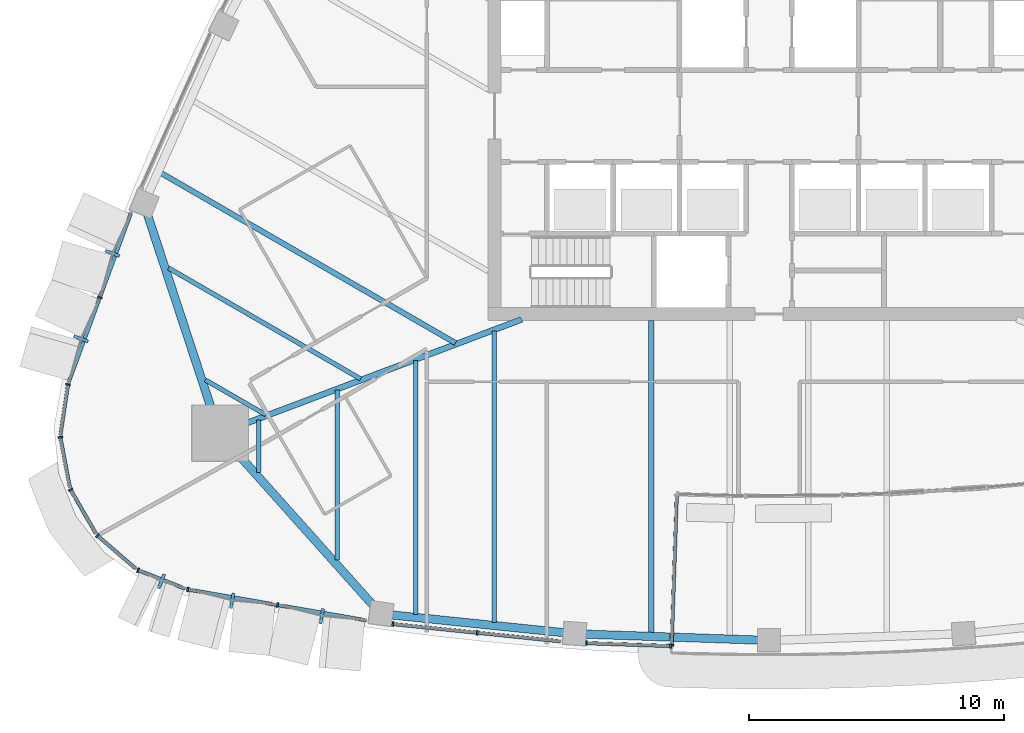
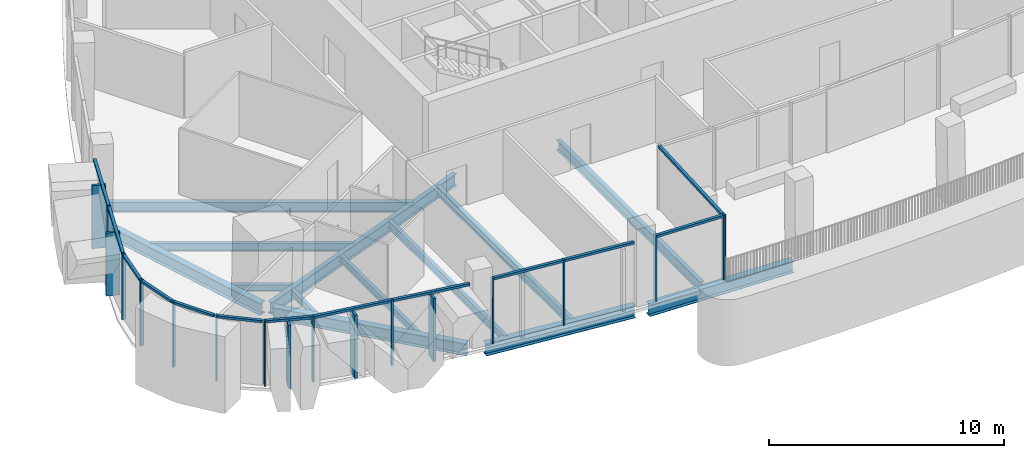
# One storey, part 2 of 21: 31 members, 13 beams, 10 elements without a shape of their own.
"""IFC4 building model written with IfcOpenShell, lengths in metres."""

from ifc_helpers import new_model, si_unit, direction, frame, origin, origin_2d, place, context, subcontext, project, spatial, rectangle, i_section, extrude, material, layer, layer_set, material_profile, profile_set, type_object, element, aggregate, save


model = new_model("IFC4")

# Units and contexts
model_context = context("Model", 3, precision=1e-05, world=origin(), true_north=direction((0.0, 1.0)))
body_context = subcontext(model_context, "Body", "Model", "MODEL_VIEW")
ifc_project = project(units=[si_unit("LENGTHUNIT", "METRE"), si_unit("AREAUNIT", "SQUARE_METRE"), si_unit("VOLUMEUNIT", "CUBIC_METRE"), si_unit("PLANEANGLEUNIT", "RADIAN"), si_unit("MASSUNIT", "GRAM", prefix="KILO")], contexts=[model_context])

# Site, building, storey
site_placement = place(None, origin())
site = spatial("IfcSite", under=ifc_project, at=site_placement, CompositionType="ELEMENT")
building_placement = place(site_placement, origin())
building = spatial("IfcBuilding", under=site, at=building_placement, Name="Sierra Prisma Convention Tower", CompositionType="ELEMENT")
storey_placement = place(building_placement, frame((0.0, 0.0, 259.0)))
storey = spatial("IfcBuildingStorey", under=building, at=storey_placement, Name="L58", CompositionType="ELEMENT", Elevation=259.0)

# Curtain wall, members
ifc_material_1 = material(Name="Aluminium and glass curtain wall", Category="aluminium")
ifc_layer_1 = layer(ifc_material_1, 0.179931640625)
ifc_layer_set_1 = layer_set([ifc_layer_1], Name="CW-2 Faceted crystal curtain wall")
curtain_wall_type_1 = type_object("IfcCurtainWallType", Name="CW-2 Faceted crystal curtain wall", PredefinedType="NOTDEFINED", material=ifc_layer_set_1)
curtain_wall_1_placement = place(storey_placement, origin())
curtain_wall_1 = element("IfcCurtainWall", 1, at=curtain_wall_1_placement, inside=storey, type_object=curtain_wall_type_1, Name="CW-2 NW6 L58", PredefinedType="NOTDEFINED")
ifc_material_2 = material(Name="Aluminium 6063-T6 bronze anodised", Category="aluminium")
ifc_material_profile_1 = material_profile(ifc_material_2, rectangle(XDim=0.1201171875, YDim=0.60009765625, at=origin_2d()), Name="ALU RIDGE BLADE 120x600")
ifc_profile_set_1 = profile_set([ifc_material_profile_1], Name="Aluminium 6063-T6 bronze anodised")
member_type_1 = type_object("IfcMemberType", Name="CW hip bronze", PredefinedType="MULLION", material=ifc_profile_set_1)
member_1_placement = place(storey_placement, frame((-25.70654296875, -5.372314453125, 0.0), z_axis=(0.0, 0.0, 1.0), x_axis=(-0.345165855501, -0.938541705091, 0.0)))
member_1 = element("IfcMember", 2, at=member_1_placement, type_object=member_type_1, Name="CW-2 ridge NW6.1", PredefinedType="MULLION", context=body_context, shape_type="SweptSolid", body=[
    extrude(rectangle(XDim=0.1201171875, YDim=0.60009765625, at=origin_2d()), origin(), (0.0, 0.0, 1.0), 3.280029296875),
])
member_2_placement = place(storey_placement, frame((-26.9365234375, -8.716552734375, 0.0), z_axis=(0.0, 0.0, 1.0), x_axis=(-0.345165855501, -0.938541705091, 0.0)))
member_2 = element("IfcMember", 3, at=member_2_placement, type_object=member_type_1, Name="CW-2 ridge NW6.2", PredefinedType="MULLION", context=body_context, shape_type="SweptSolid", body=[
    extrude(rectangle(XDim=0.1201171875, YDim=0.60009765625, at=origin_2d()), origin(), (0.0, 0.0, 1.0), 3.280029296875),
])

# Curtain wall, member
curtain_wall_2_placement = place(storey_placement, origin())
curtain_wall_2 = element("IfcCurtainWall", 4, at=curtain_wall_2_placement, inside=storey, type_object=curtain_wall_type_1, Name="CW-2 SW5 L58", PredefinedType="NOTDEFINED")
member_3_placement = place(storey_placement, frame((-23.784423828125, -18.21435546875, 0.0), z_axis=(0.0, 0.0, 1.0), x_axis=(0.930955439844, -0.365132810117, 0.0)))
member_3 = element("IfcMember", 5, at=member_3_placement, type_object=member_type_1, Name="CW-2 ridge SW5.1", PredefinedType="MULLION", context=body_context, shape_type="SweptSolid", body=[
    extrude(rectangle(XDim=0.1201171875, YDim=0.60009765625, at=origin_2d()), origin(), (0.0, 0.0, 1.0), 3.280029296875),
])

# Curtain wall, members
curtain_wall_3_placement = place(storey_placement, origin())
curtain_wall_3 = element("IfcCurtainWall", 6, at=curtain_wall_3_placement, inside=storey, type_object=curtain_wall_type_1, Name="CW-2 S1 L58", PredefinedType="NOTDEFINED")
member_4_placement = place(storey_placement, frame((-21.01708984375, -18.969482421875, 0.0), z_axis=(0.0, 0.0, 1.0), x_axis=(0.985383886871, -0.170348453163, 0.0)))
member_4 = element("IfcMember", 7, at=member_4_placement, type_object=member_type_1, Name="CW-2 ridge S1.1", PredefinedType="MULLION", context=body_context, shape_type="SweptSolid", body=[
    extrude(rectangle(XDim=0.1201171875, YDim=0.60009765625, at=origin_2d()), origin(), (0.0, 0.0, 1.0), 3.280029296875),
])
member_5_placement = place(storey_placement, frame((-17.505859375, -19.576416015625, 0.0), z_axis=(0.0, 0.0, 1.0), x_axis=(0.985383886871, -0.170348453163, 0.0)))
member_5 = element("IfcMember", 8, at=member_5_placement, type_object=member_type_1, Name="CW-2 ridge S1.2", PredefinedType="MULLION", context=body_context, shape_type="SweptSolid", body=[
    extrude(rectangle(XDim=0.1201171875, YDim=0.60009765625, at=origin_2d()), origin(), (0.0, 0.0, 1.0), 3.280029296875),
])

# Member
ifc_material_3 = material(Name="Aluminium 6063-T6 bronze anodised", Category="aluminium")
ifc_material_profile_2 = material_profile(ifc_material_3, rectangle(XDim=0.179931640625, YDim=0.070068359375, at=origin_2d()), Name="ALU MULLION 70x180")
ifc_profile_set_2 = profile_set([ifc_material_profile_2], Name="Aluminium 6063-T6 bronze anodised")
member_type_2 = type_object("IfcMemberType", Name="CW mullion bronze", PredefinedType="MULLION", material=ifc_profile_set_2)
member_6_placement = place(storey_placement, frame((-26.192626953125, -7.091796875, 0.0), z_axis=(0.0, 0.0, 1.0), x_axis=(0.938541705091, -0.345165855501, 0.0)))
member_6 = element("IfcMember", 9, at=member_6_placement, type_object=member_type_2, Name="CW-1 mullion NW6.2", PredefinedType="MULLION", context=body_context, shape_type="SweptSolid", body=[
    extrude(rectangle(XDim=0.179931640625, YDim=0.070068359375, at=origin_2d()), origin(), (0.0, 0.0, 1.0), 3.39990234375),
])

# Curtain wall, member
ifc_material_4 = material(Name="Aluminium and glass curtain wall", Category="aluminium")
ifc_layer_2 = layer(ifc_material_4, 0.179931640625)
ifc_layer_set_2 = layer_set([ifc_layer_2], Name="CW-1 Plain shaft curtain wall")
curtain_wall_type_2 = type_object("IfcCurtainWallType", Name="CW-1 Plain shaft curtain wall", PredefinedType="NOTDEFINED", material=ifc_layer_set_2)
curtain_wall_4_placement = place(storey_placement, origin())
curtain_wall_4 = element("IfcCurtainWall", 10, at=curtain_wall_4_placement, inside=storey, type_object=curtain_wall_type_2, Name="CW-1 SW1 L58", PredefinedType="NOTDEFINED")
member_7_placement = place(storey_placement, frame((-27.439697265625, -10.503662109375, 0.0), z_axis=(0.0, 0.0, 1.0), x_axis=(0.988797465755, -0.149263430605, 0.0)))
member_7 = element("IfcMember", 11, at=member_7_placement, type_object=member_type_2, Name="CW-1 mullion SW1.1", PredefinedType="MULLION", context=body_context, shape_type="SweptSolid", body=[
    extrude(rectangle(XDim=0.179931640625, YDim=0.070068359375, at=origin_2d()), origin(), (0.0, 0.0, 1.0), 3.39990234375),
])

curtain_wall_5_placement = place(storey_placement, origin())
curtain_wall_5 = element("IfcCurtainWall", 12, at=curtain_wall_5_placement, inside=storey, type_object=curtain_wall_type_2, Name="CW-1 SW2 L58", PredefinedType="NOTDEFINED")
member_8_placement = place(storey_placement, frame((-27.739990234375, -12.56982421875, 0.0), z_axis=(0.0, 0.0, 1.0), x_axis=(0.982587258172, 0.185801722483, 0.0)))
member_8 = element("IfcMember", 13, at=member_8_placement, type_object=member_type_2, Name="CW-1 mullion SW2.1", PredefinedType="MULLION", context=body_context, shape_type="SweptSolid", body=[
    extrude(rectangle(XDim=0.179931640625, YDim=0.070068359375, at=origin_2d()), origin(), (0.0, 0.0, 1.0), 3.39990234375),
])

curtain_wall_6_placement = place(storey_placement, origin())
curtain_wall_6 = element("IfcCurtainWall", 14, at=curtain_wall_6_placement, inside=storey, type_object=curtain_wall_type_2, Name="CW-1 SW3 L58", PredefinedType="NOTDEFINED")
member_9_placement = place(storey_placement, frame((-27.3408203125, -14.619140625, 0.0), z_axis=(0.0, 0.0, 1.0), x_axis=(0.866025403784, 0.5, 0.0)))
member_9 = element("IfcMember", 15, at=member_9_placement, type_object=member_type_2, Name="CW-1 mullion SW3.1", PredefinedType="MULLION", context=body_context, shape_type="SweptSolid", body=[
    extrude(rectangle(XDim=0.179931640625, YDim=0.070068359375, at=origin_2d()), origin(), (0.0, 0.0, 1.0), 3.39990234375),
])

curtain_wall_7_placement = place(storey_placement, origin())
curtain_wall_7 = element("IfcCurtainWall", 16, at=curtain_wall_7_placement, inside=storey, type_object=curtain_wall_type_2, Name="CW-1 SW4 L58", PredefinedType="NOTDEFINED")
member_10_placement = place(storey_placement, frame((-26.286865234375, -16.42138671875, 0.0), z_axis=(0.0, 0.0, 1.0), x_axis=(0.652202640824, 0.75804466577, 0.0)))
member_10 = element("IfcMember", 17, at=member_10_placement, type_object=member_type_2, Name="CW-1 mullion SW4.1", PredefinedType="MULLION", context=body_context, shape_type="SweptSolid", body=[
    extrude(rectangle(XDim=0.179931640625, YDim=0.070068359375, at=origin_2d()), origin(), (0.0, 0.0, 1.0), 3.39990234375),
])

# Member
member_11_placement = place(storey_placement, frame((-24.696533203125, -17.774169921875, 0.0), z_axis=(0.0, 0.0, 1.0), x_axis=(0.365132810117, 0.930955439844, 0.0)))
member_11 = element("IfcMember", 18, at=member_11_placement, type_object=member_type_2, Name="CW-1 mullion SW5.1", PredefinedType="MULLION", context=body_context, shape_type="SweptSolid", body=[
    extrude(rectangle(XDim=0.179931640625, YDim=0.070068359375, at=origin_2d()), origin(), (0.0, 0.0, 1.0), 3.39990234375),
])

member_12_placement = place(storey_placement, frame((-22.749267578125, -18.530517578125, 0.0), z_axis=(0.0, 0.0, 1.0), x_axis=(0.170348453163, 0.985383886871, 0.0)))
member_12 = element("IfcMember", 19, at=member_12_placement, type_object=member_type_2, Name="CW-1 mullion S1.1", PredefinedType="MULLION", context=body_context, shape_type="SweptSolid", body=[
    extrude(rectangle(XDim=0.179931640625, YDim=0.070068359375, at=origin_2d()), origin(), (0.0, 0.0, 1.0), 3.39990234375),
])

member_13_placement = place(storey_placement, frame((-19.238037109375, -19.137451171875, 0.0), z_axis=(0.0, 0.0, 1.0), x_axis=(0.170348453163, 0.985383886871, 0.0)))
member_13 = element("IfcMember", 20, at=member_13_placement, type_object=member_type_2, Name="CW-1 mullion S1.2", PredefinedType="MULLION", context=body_context, shape_type="SweptSolid", body=[
    extrude(rectangle(XDim=0.179931640625, YDim=0.070068359375, at=origin_2d()), origin(), (0.0, 0.0, 1.0), 3.39990234375),
])

# Curtain wall, members
curtain_wall_8_placement = place(storey_placement, origin())
curtain_wall_8 = element("IfcCurtainWall", 21, at=curtain_wall_8_placement, inside=storey, type_object=curtain_wall_type_2, Name="CW-1 S2 L58", PredefinedType="NOTDEFINED")
member_14_placement = place(storey_placement, frame((-14.72265625, -19.88134765625, 0.0), z_axis=(0.0, 0.0, 1.0), x_axis=(0.102529476256, 0.994729966623, 0.0)))
member_14 = element("IfcMember", 22, at=member_14_placement, type_object=member_type_2, Name="CW-1 mullion S2.1", PredefinedType="MULLION", context=body_context, shape_type="SweptSolid", body=[
    extrude(rectangle(XDim=0.179931640625, YDim=0.070068359375, at=origin_2d()), origin(), (0.0, 0.0, 1.0), 3.39990234375),
])
member_15_placement = place(storey_placement, frame((-11.423583984375, -20.221435546875, 0.0), z_axis=(0.0, 0.0, 1.0), x_axis=(0.102529476256, 0.994729966623, 0.0)))
member_15 = element("IfcMember", 23, at=member_15_placement, type_object=member_type_2, Name="CW-1 mullion S2.2", PredefinedType="MULLION", context=body_context, shape_type="SweptSolid", body=[
    extrude(rectangle(XDim=0.179931640625, YDim=0.070068359375, at=origin_2d()), origin(), (0.0, 0.0, 1.0), 3.39990234375),
])

curtain_wall_9_placement = place(storey_placement, origin())
curtain_wall_9 = element("IfcCurtainWall", 24, at=curtain_wall_9_placement, inside=storey, type_object=curtain_wall_type_2, Name="CW-1 S3 L58", PredefinedType="NOTDEFINED")
member_16_placement = place(storey_placement, frame((-7.1455078125, -20.628173828125, 0.0), z_axis=(0.0, 0.0, 1.0), x_axis=(0.034229967994, 0.999413982938, 0.0)))
member_16 = element("IfcMember", 25, at=member_16_placement, type_object=member_type_2, Name="CW-1 mullion S3.1", PredefinedType="MULLION", context=body_context, shape_type="SweptSolid", body=[
    extrude(rectangle(XDim=0.179931640625, YDim=0.070068359375, at=origin_2d()), origin(), (0.0, 0.0, 1.0), 3.39990234375),
])
member_17_placement = place(storey_placement, frame((-3.85009765625, -20.740966796875, 0.0), z_axis=(0.0, 0.0, 1.0), x_axis=(0.034229967994, 0.999413982938, 0.0)))
member_17 = element("IfcMember", 26, at=member_17_placement, type_object=member_type_2, Name="CW-1 mullion S3.2", PredefinedType="MULLION", context=body_context, shape_type="SweptSolid", body=[
    extrude(rectangle(XDim=0.179931640625, YDim=0.070068359375, at=origin_2d()), origin(), (0.0, 0.0, 1.0), 3.39990234375),
])

# Curtain wall, member
ifc_material_5 = material(Name="Aluminium and glass curtain wall", Category="aluminium")
ifc_layer_3 = layer(ifc_material_5, 0.179931640625)
ifc_layer_set_3 = layer_set([ifc_layer_3], Name="CW-6 Terrace recess curtain wall")
curtain_wall_type_3 = type_object("IfcCurtainWallType", Name="CW-6 Terrace recess curtain wall", PredefinedType="NOTDEFINED", material=ifc_layer_set_3)
curtain_wall_10_placement = place(storey_placement, origin())
curtain_wall_10 = element("IfcCurtainWall", 27, at=curtain_wall_10_placement, inside=storey, type_object=curtain_wall_type_3, Name="CW-6 RT1 L58", PredefinedType="NOTDEFINED")
member_18_placement = place(storey_placement, frame((-3.81396484375, -20.707275390625, 0.0), z_axis=(0.0, 0.0, 1.0), x_axis=(-0.999413982938, 0.034229967994, 0.0)))
member_18 = element("IfcMember", 28, at=member_18_placement, type_object=member_type_2, Name="CW-6 mullion RT1.1", PredefinedType="MULLION", context=body_context, shape_type="SweptSolid", body=[
    extrude(rectangle(XDim=0.179931640625, YDim=0.070068359375, at=origin_2d()), origin(), (0.0, 0.0, 1.0), 3.340087890625),
])

# Member
ifc_material_6 = material(Name="Aluminium 6063-T6 bronze anodised", Category="aluminium")
ifc_material_profile_3 = material_profile(ifc_material_6, rectangle(XDim=0.139892578125, YDim=0.1201171875, at=origin_2d()), Name="ALU TRANSOM 120x140")
ifc_profile_set_3 = profile_set([ifc_material_profile_3], Name="Aluminium 6063-T6 bronze anodised")
member_type_3 = type_object("IfcMemberType", Name="CW transom bronze", PredefinedType="USERDEFINED", material=ifc_profile_set_3)
member_19_placement = place(storey_placement, frame((-24.974609375, -3.7802734375, 3.340087890625), z_axis=(-0.345157987542, -0.93854459864, 0.0), x_axis=(0.93854459864, -0.345157987542, 0.0)))
member_19 = element("IfcMember", 29, at=member_19_placement, type_object=member_type_3, Name="CW-1 transom NW6.1", ObjectType="TRANSOM", PredefinedType="USERDEFINED", context=body_context, shape_type="SweptSolid", body=[
    extrude(rectangle(XDim=0.139892578125, YDim=0.1201171875, at=origin_2d()), origin(), (0.0, 0.0, 1.0), 3.493408203125),
])

member_20_placement = place(storey_placement, frame((-26.20458984375, -7.124755859375, 3.340087890625), z_axis=(-0.34518062764, -0.938536272236, 0.0), x_axis=(0.938536272236, -0.34518062764, 0.0)))
member_20 = element("IfcMember", 30, at=member_20_placement, type_object=member_type_3, Name="CW-1 transom NW6.2", ObjectType="TRANSOM", PredefinedType="USERDEFINED", context=body_context, shape_type="SweptSolid", body=[
    extrude(rectangle(XDim=0.139892578125, YDim=0.1201171875, at=origin_2d()), origin(), (0.0, 0.0, 1.0), 3.4931640625),
])

aggregate(curtain_wall_1, [member_6, member_19, member_1, member_20, member_2])

member_21_placement = place(storey_placement, frame((-27.445068359375, -10.538330078125, 3.340087890625), z_axis=(-0.14925269233, -0.988799086687, 0.0), x_axis=(0.988799086687, -0.14925269233, 0.0)))
member_21 = element("IfcMember", 31, at=member_21_placement, type_object=member_type_3, Name="CW-1 transom SW1.1", ObjectType="TRANSOM", PredefinedType="USERDEFINED", context=body_context, shape_type="SweptSolid", body=[
    extrude(rectangle(XDim=0.139892578125, YDim=0.1201171875, at=origin_2d()), origin(), (0.0, 0.0, 1.0), 1.94970703125),
])

aggregate(curtain_wall_4, [member_7, member_21])

member_22_placement = place(storey_placement, frame((-27.7333984375, -12.604248046875, 3.340087890625), z_axis=(0.185823054008, -0.982583224261, 0.0), x_axis=(0.982583224261, 0.185823054008, 0.0)))
member_22 = element("IfcMember", 32, at=member_22_placement, type_object=member_type_3, Name="CW-1 transom SW2.1", ObjectType="TRANSOM", PredefinedType="USERDEFINED", context=body_context, shape_type="SweptSolid", body=[
    extrude(rectangle(XDim=0.139892578125, YDim=0.1201171875, at=origin_2d()), origin(), (0.0, 0.0, 1.0), 1.94970703125),
])

aggregate(curtain_wall_5, [member_8, member_22])

member_23_placement = place(storey_placement, frame((-27.3232421875, -14.6494140625, 3.340087890625), z_axis=(0.500004276729, -0.8660229346, 0.0), x_axis=(0.8660229346, 0.500004276729, 0.0)))
member_23 = element("IfcMember", 33, at=member_23_placement, type_object=member_type_3, Name="CW-1 transom SW3.1", ObjectType="TRANSOM", PredefinedType="USERDEFINED", context=body_context, shape_type="SweptSolid", body=[
    extrude(rectangle(XDim=0.139892578125, YDim=0.1201171875, at=origin_2d()), origin(), (0.0, 0.0, 1.0), 1.94970703125),
])

aggregate(curtain_wall_6, [member_9, member_23])

member_24_placement = place(storey_placement, frame((-26.26025390625, -16.444091796875, 3.340087890625), z_axis=(0.758026709741, -0.652223510248, 0.0), x_axis=(0.652223510248, 0.758026709741, 0.0)))
member_24 = element("IfcMember", 34, at=member_24_placement, type_object=member_type_3, Name="CW-1 transom SW4.1", ObjectType="TRANSOM", PredefinedType="USERDEFINED", context=body_context, shape_type="SweptSolid", body=[
    extrude(rectangle(XDim=0.139892578125, YDim=0.1201171875, at=origin_2d()), origin(), (0.0, 0.0, 1.0), 1.949951171875),
])

aggregate(curtain_wall_7, [member_10, member_24])

member_25_placement = place(storey_placement, frame((-24.6640625, -17.787109375, 3.340087890625), z_axis=(0.930959846245, -0.365121575205, 0.0), x_axis=(0.365121575205, 0.930959846245, 0.0)))
member_25 = element("IfcMember", 35, at=member_25_placement, type_object=member_type_3, Name="CW-1 transom SW5.1", ObjectType="TRANSOM", PredefinedType="USERDEFINED", context=body_context, shape_type="SweptSolid", body=[
    extrude(rectangle(XDim=0.139892578125, YDim=0.1201171875, at=origin_2d()), origin(), (0.0, 0.0, 1.0), 1.94970703125),
])

aggregate(curtain_wall_2, [member_11, member_25, member_3])

member_26_placement = place(storey_placement, frame((-22.71484375, -18.536376953125, 3.340087890625), z_axis=(0.985378496758, -0.170379629439, 0.0), x_axis=(0.170379629439, 0.985378496758, 0.0)))
member_26 = element("IfcMember", 36, at=member_26_placement, type_object=member_type_3, Name="CW-1 transom S1.1", ObjectType="TRANSOM", PredefinedType="USERDEFINED", context=body_context, shape_type="SweptSolid", body=[
    extrude(rectangle(XDim=0.139892578125, YDim=0.1201171875, at=origin_2d()), origin(), (0.0, 0.0, 1.0), 3.493408203125),
])

member_27_placement = place(storey_placement, frame((-19.20361328125, -19.143310546875, 3.340087890625), z_axis=(0.985378496758, -0.170379629439, 0.0), x_axis=(0.170379629439, 0.985378496758, 0.0)))
member_27 = element("IfcMember", 37, at=member_27_placement, type_object=member_type_3, Name="CW-1 transom S1.2", ObjectType="TRANSOM", PredefinedType="USERDEFINED", context=body_context, shape_type="SweptSolid", body=[
    extrude(rectangle(XDim=0.139892578125, YDim=0.1201171875, at=origin_2d()), origin(), (0.0, 0.0, 1.0), 3.493408203125),
])

aggregate(curtain_wall_3, [member_12, member_13, member_26, member_4, member_27, member_5])

member_28_placement = place(storey_placement, frame((-14.687744140625, -19.885009765625, 3.340087890625), z_axis=(0.994732591312, -0.102504008616, 0.0), x_axis=(0.102504008616, 0.994732591312, 0.0)))
member_28 = element("IfcMember", 38, at=member_28_placement, type_object=member_type_3, Name="CW-1 transom S2.1", ObjectType="TRANSOM", PredefinedType="USERDEFINED", context=body_context, shape_type="SweptSolid", body=[
    extrude(rectangle(XDim=0.139892578125, YDim=0.1201171875, at=origin_2d()), origin(), (0.0, 0.0, 1.0), 3.246337890625),
])

member_29_placement = place(storey_placement, frame((-11.388916015625, -20.224853515625, 3.340087890625), z_axis=(0.994724920409, -0.102578422276, 0.0), x_axis=(0.102578422276, 0.994724920409, 0.0)))
member_29 = element("IfcMember", 39, at=member_29_placement, type_object=member_type_3, Name="CW-1 transom S2.2", ObjectType="TRANSOM", PredefinedType="USERDEFINED", context=body_context, shape_type="SweptSolid", body=[
    extrude(rectangle(XDim=0.139892578125, YDim=0.1201171875, at=origin_2d()), origin(), (0.0, 0.0, 1.0), 3.246337890625),
])

aggregate(curtain_wall_8, [member_14, member_15, member_28, member_29])

member_30_placement = place(storey_placement, frame((-7.1103515625, -20.62939453125, 3.340087890625), z_axis=(0.999415217447, -0.034193904949, 0.0), x_axis=(0.034193904949, 0.999415217447, 0.0)))
member_30 = element("IfcMember", 40, at=member_30_placement, type_object=member_type_3, Name="CW-1 transom S3.1", ObjectType="TRANSOM", PredefinedType="USERDEFINED", context=body_context, shape_type="SweptSolid", body=[
    extrude(rectangle(XDim=0.139892578125, YDim=0.1201171875, at=origin_2d()), origin(), (0.0, 0.0, 1.0), 3.227294921875),
])

aggregate(curtain_wall_9, [member_16, member_17, member_30])

member_31_placement = place(storey_placement, frame((-3.812744140625, -20.672119140625, 3.280029296875), z_axis=(0.034255264938, 0.999413116196, 0.0), x_axis=(-0.999413116196, 0.034255264938, 0.0)))
member_31 = element("IfcMember", 41, at=member_31_placement, type_object=member_type_3, Name="CW-6 transom RT1.1", ObjectType="TRANSOM", PredefinedType="USERDEFINED", context=body_context, shape_type="SweptSolid", body=[
    extrude(rectangle(XDim=0.139892578125, YDim=0.1201171875, at=origin_2d()), origin(), (0.0, 0.0, 1.0), 5.80859375),
])

aggregate(curtain_wall_10, [member_18, member_31])

# Beams
ifc_material_7 = material(Name="Steel ASTM A992 Gr 50", Category="steel")
ifc_material_profile_4 = material_profile(ifc_material_7, i_section(OverallWidth=0.172119140625, OverallDepth=0.35791015625, WebThickness=0.0078125, FlangeThickness=0.01318359375, at=origin_2d()), Name="W360x57")
ifc_profile_set_4 = profile_set([ifc_material_profile_4], Name="Steel ASTM A992 Gr 50")
beam_type_1 = type_object("IfcBeamType", Name="Floor joist W360x57", PredefinedType="JOIST", material=ifc_profile_set_4)
beam_1_placement = place(storey_placement, frame((-19.975341796875, -13.945068359375, -0.3291015625), z_axis=(0.0, 1.0, 0.0), x_axis=(-1.0, 0.0, 0.0)))
element("IfcBeam", 42, at=beam_1_placement, inside=storey, type_object=beam_type_1, Name="Floor joist L58 S01", PredefinedType="JOIST", context=body_context, shape_type="SweptSolid", body=[
    extrude(i_section(OverallWidth=0.172119140625, OverallDepth=0.35791015625, WebThickness=0.0078125, FlangeThickness=0.01318359375, at=origin_2d()), origin(), (0.0, 0.0, 1.0), 2.055908203125),
])
beam_2_placement = place(storey_placement, frame((-16.902099609375, -17.38330078125, -0.3291015625), z_axis=(0.0, 1.0, 0.0), x_axis=(-1.0, 0.0, 0.0)))
element("IfcBeam", 43, at=beam_2_placement, inside=storey, type_object=beam_type_1, Name="Floor joist L58 S02", PredefinedType="JOIST", context=body_context, shape_type="SweptSolid", body=[
    extrude(i_section(OverallWidth=0.172119140625, OverallDepth=0.35791015625, WebThickness=0.0078125, FlangeThickness=0.01318359375, at=origin_2d()), origin(), (0.0, 0.0, 1.0), 6.65380859375),
])
beam_3_placement = place(storey_placement, frame((-22.064453125, -10.326416015625, -0.3291015625), z_axis=(0.866028909405, -0.499993928037, 0.0), x_axis=(0.499993928037, 0.866028909405, 0.0)))
element("IfcBeam", 44, at=beam_3_placement, inside=storey, type_object=beam_type_1, Name="Floor joist L58 NW14", PredefinedType="JOIST", context=body_context, shape_type="SweptSolid", body=[
    extrude(i_section(OverallWidth=0.172119140625, OverallDepth=0.35791015625, WebThickness=0.0078125, FlangeThickness=0.01318359375, at=origin_2d()), origin(), (0.0, 0.0, 1.0), 2.724609375),
])
ifc_material_8 = material(Name="Steel ASTM A992 Gr 50", Category="steel")
ifc_material_profile_5 = material_profile(ifc_material_8, i_section(OverallWidth=0.177978515625, OverallDepth=0.406982421875, WebThickness=0.0078125, FlangeThickness=0.0126953125, at=origin_2d()), Name="W410x60")
ifc_profile_set_5 = profile_set([ifc_material_profile_5], Name="Steel ASTM A992 Gr 50")
beam_type_2 = type_object("IfcBeamType", Name="Floor joist W410x60", PredefinedType="JOIST", material=ifc_profile_set_5)
beam_4_placement = place(storey_placement, frame((-13.8291015625, -19.508544921875, -0.353515625), z_axis=(0.0, 1.0, 0.0), x_axis=(-1.0, 0.0, 0.0)))
element("IfcBeam", 45, at=beam_4_placement, inside=storey, type_object=beam_type_2, Name="Floor joist L58 S03", PredefinedType="JOIST", context=body_context, shape_type="SweptSolid", body=[
    extrude(i_section(OverallWidth=0.177978515625, OverallDepth=0.406982421875, WebThickness=0.0078125, FlangeThickness=0.0126953125, at=origin_2d()), origin(), (0.0, 0.0, 1.0), 9.93896484375),
])
beam_5_placement = place(storey_placement, frame((-23.50537109375, -5.946044921875, -0.353515625), z_axis=(0.866020712172, -0.500008126024, 0.0), x_axis=(0.500008126024, 0.866020712172, 0.0)))
element("IfcBeam", 46, at=beam_5_placement, inside=storey, type_object=beam_type_2, Name="Floor joist L58 NW13", PredefinedType="JOIST", context=body_context, shape_type="SweptSolid", body=[
    extrude(i_section(OverallWidth=0.177978515625, OverallDepth=0.406982421875, WebThickness=0.0078125, FlangeThickness=0.0126953125, at=origin_2d()), origin(), (0.0, 0.0, 1.0), 8.679931640625),
])
ifc_material_9 = material(Name="Steel ASTM A992 Gr 50", Category="steel")
ifc_material_profile_6 = material_profile(ifc_material_9, i_section(OverallWidth=0.18994140625, OverallDepth=0.45703125, WebThickness=0.009033203125, FlangeThickness=0.014404296875, at=origin_2d()), Name="W460x74")
ifc_profile_set_6 = profile_set([ifc_material_profile_6], Name="Steel ASTM A992 Gr 50")
beam_type_3 = type_object("IfcBeamType", Name="Floor joist W460x74", PredefinedType="JOIST", material=ifc_profile_set_6)
beam_6_placement = place(storey_placement, frame((-10.755859375, -19.8251953125, -0.37841796875), z_axis=(0.0, 1.0, 0.0), x_axis=(-1.0, 0.0, 0.0)))
element("IfcBeam", 47, at=beam_6_placement, inside=storey, type_object=beam_type_3, Name="Floor joist L58 S04", PredefinedType="JOIST", context=body_context, shape_type="SweptSolid", body=[
    extrude(i_section(OverallWidth=0.18994140625, OverallDepth=0.45703125, WebThickness=0.009033203125, FlangeThickness=0.014404296875, at=origin_2d()), origin(), (0.0, 0.0, 1.0), 11.415283203125),
])
ifc_material_10 = material(Name="Steel ASTM A992 Gr 50", Category="steel")
ifc_material_profile_7 = material_profile(ifc_material_10, i_section(OverallWidth=0.208984375, OverallDepth=0.532958984375, WebThickness=0.01025390625, FlangeThickness=0.015625, at=origin_2d()), Name="W530x92")
ifc_profile_set_7 = profile_set([ifc_material_profile_7], Name="Steel ASTM A992 Gr 50")
beam_type_4 = type_object("IfcBeamType", Name="Floor joist W530x92", PredefinedType="JOIST", material=ifc_profile_set_7)
beam_7_placement = place(storey_placement, frame((-4.609619140625, -20.25244140625, -0.41650390625), z_axis=(0.0, 1.0, 0.0), x_axis=(-1.0, 0.0, 0.0)))
element("IfcBeam", 48, at=beam_7_placement, inside=storey, type_object=beam_type_4, Name="Floor joist L58 S06", PredefinedType="JOIST", context=body_context, shape_type="SweptSolid", body=[
    extrude(i_section(OverallWidth=0.208984375, OverallDepth=0.532958984375, WebThickness=0.01025390625, FlangeThickness=0.015625, at=origin_2d()), origin(), (0.0, 0.0, 1.0), 12.25244140625),
])
beam_8_placement = place(storey_placement, frame((-23.809326171875, -2.22216796875, -0.41650390625), z_axis=(0.866025374993, -0.500000049868, 0.0), x_axis=(0.500000049868, 0.866025374993, 0.0)))
element("IfcBeam", 49, at=beam_8_placement, inside=storey, type_object=beam_type_4, Name="Floor joist L58 NW12", PredefinedType="JOIST", context=body_context, shape_type="SweptSolid", body=[
    extrude(i_section(OverallWidth=0.208984375, OverallDepth=0.532958984375, WebThickness=0.01025390625, FlangeThickness=0.015625, at=origin_2d()), origin(), (0.0, 0.0, 1.0), 13.32275390625),
])
ifc_material_11 = material(Name="Steel ASTM A992 Gr 50", Category="steel")
ifc_material_profile_8 = material_profile(ifc_material_11, i_section(OverallWidth=0.22998046875, OverallDepth=0.616943359375, WebThickness=0.01318359375, FlangeThickness=0.022216796875, at=origin_2d()), Name="W610x140")
ifc_profile_set_8 = profile_set([ifc_material_profile_8], Name="Steel ASTM A992 Gr 50")
beam_type_5 = type_object("IfcBeamType", Name="Radial girder W610x140", PredefinedType="BEAM", material=ifc_profile_set_8)
beam_9_placement = place(storey_placement, frame((-21.291748046875, -12.3369140625, -0.45849609375), z_axis=(0.935587732593, 0.35309431406, 0.0), x_axis=(-0.35309431406, 0.935587732593, 0.0)))
element("IfcBeam", 50, at=beam_9_placement, inside=storey, type_object=beam_type_5, Name="Radial girder L58 SW", PredefinedType="BEAM", context=body_context, shape_type="SweptSolid", body=[
    extrude(i_section(OverallWidth=0.22998046875, OverallDepth=0.616943359375, WebThickness=0.01318359375, FlangeThickness=0.022216796875, at=origin_2d()), origin(), (0.0, 0.0, 1.0), 12.40283203125),
])
ifc_material_12 = material(Name="Steel ASTM A992 Gr 50", Category="steel")
ifc_material_profile_9 = material_profile(ifc_material_12, i_section(OverallWidth=0.324951171875, OverallDepth=0.615966796875, WebThickness=0.013916015625, FlangeThickness=0.021484375, at=origin_2d()), Name="W610x174")
ifc_profile_set_9 = profile_set([ifc_material_profile_9], Name="Steel ASTM A992 Gr 50")
beam_type_6 = type_object("IfcBeamType", Name="Spandrel beam W610x174", PredefinedType="BEAM", material=ifc_profile_set_9)
beam_10_placement = place(storey_placement, frame((-21.315185546875, -12.639892578125, -0.4580078125), z_axis=(0.666406964769, -0.745588195526, 0.0), x_axis=(0.745588195526, 0.666406964769, 0.0)))
element("IfcBeam", 51, at=beam_10_placement, inside=storey, type_object=beam_type_6, Name="Spandrel L58-01", PredefinedType="BEAM", context=body_context, shape_type="SweptSolid", body=[
    extrude(i_section(OverallWidth=0.324951171875, OverallDepth=0.615966796875, WebThickness=0.013916015625, FlangeThickness=0.021484375, at=origin_2d()), origin(), (0.0, 0.0, 1.0), 8.7041015625),
])
for number, where, z_axis, x_axis, name in (
    (52, (-14.87255859375, -19.51416015625, -0.4580078125), (0.994729843523, -0.10253067056, 0.0), (0.10253067056, 0.994729843523, 0.0), "Spandrel L58-02"),
    (53, (-7.288330078125, -20.273193359375, -0.60791015625), (0.999414175295, -0.034224351254, 0.0), (0.034224351254, 0.999414175295, 0.0), "Spandrel L58-03"),
):
    element("IfcBeam", number, at=place(storey_placement, frame(where, z_axis=z_axis, x_axis=x_axis)), inside=storey, type_object=beam_type_6, Name=name, PredefinedType="BEAM", context=body_context, shape_type="SweptSolid", body=[
        extrude(i_section(OverallWidth=0.324951171875, OverallDepth=0.615966796875, WebThickness=0.013916015625, FlangeThickness=0.021484375, at=origin_2d()), origin(), (0.0, 0.0, 1.0), 6.96240234375),
    ])
beam_11_placement = place(storey_placement, frame((-24.323974609375, -3.871337890625, -0.4580078125), z_axis=(0.312482862305, -0.949923397315, 0.0), x_axis=(0.949923397315, 0.312482862305, 0.0)))
element("IfcBeam", 54, at=beam_11_placement, inside=storey, type_object=beam_type_6, Name="Spandrel L58-18", PredefinedType="BEAM", context=body_context, shape_type="SweptSolid", body=[
    extrude(i_section(OverallWidth=0.324951171875, OverallDepth=0.615966796875, WebThickness=0.013916015625, FlangeThickness=0.021484375, at=origin_2d()), origin(), (0.0, 0.0, 1.0), 8.767578125),
])

save(model, "model.ifc")
